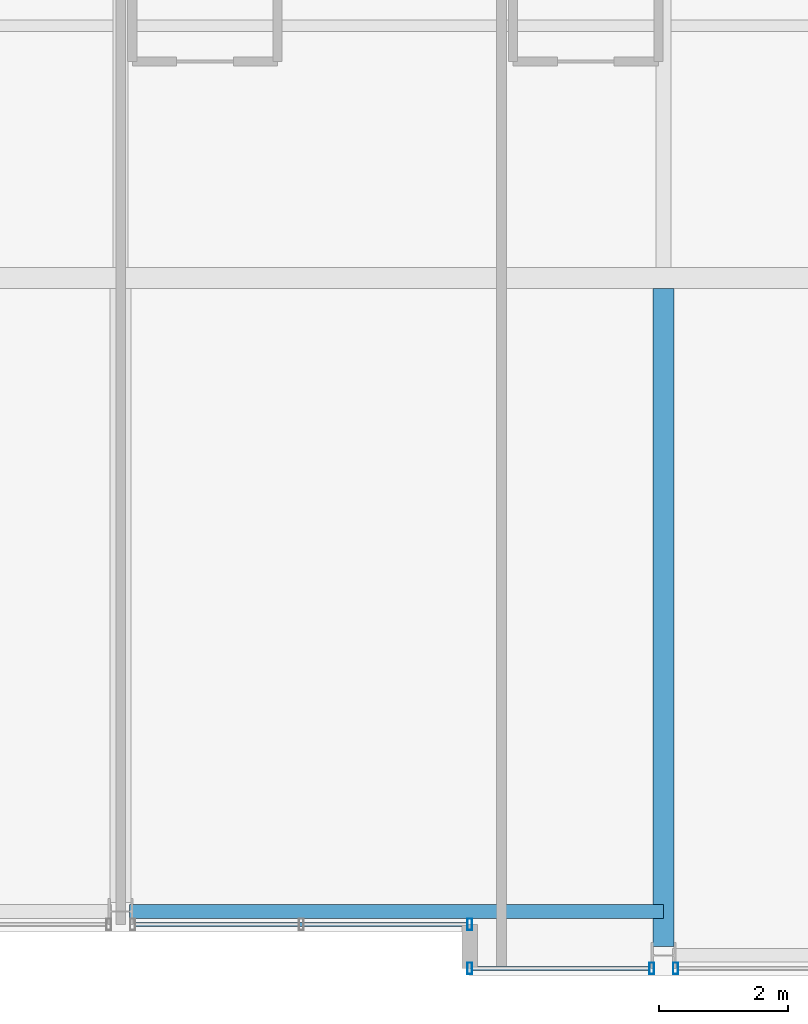
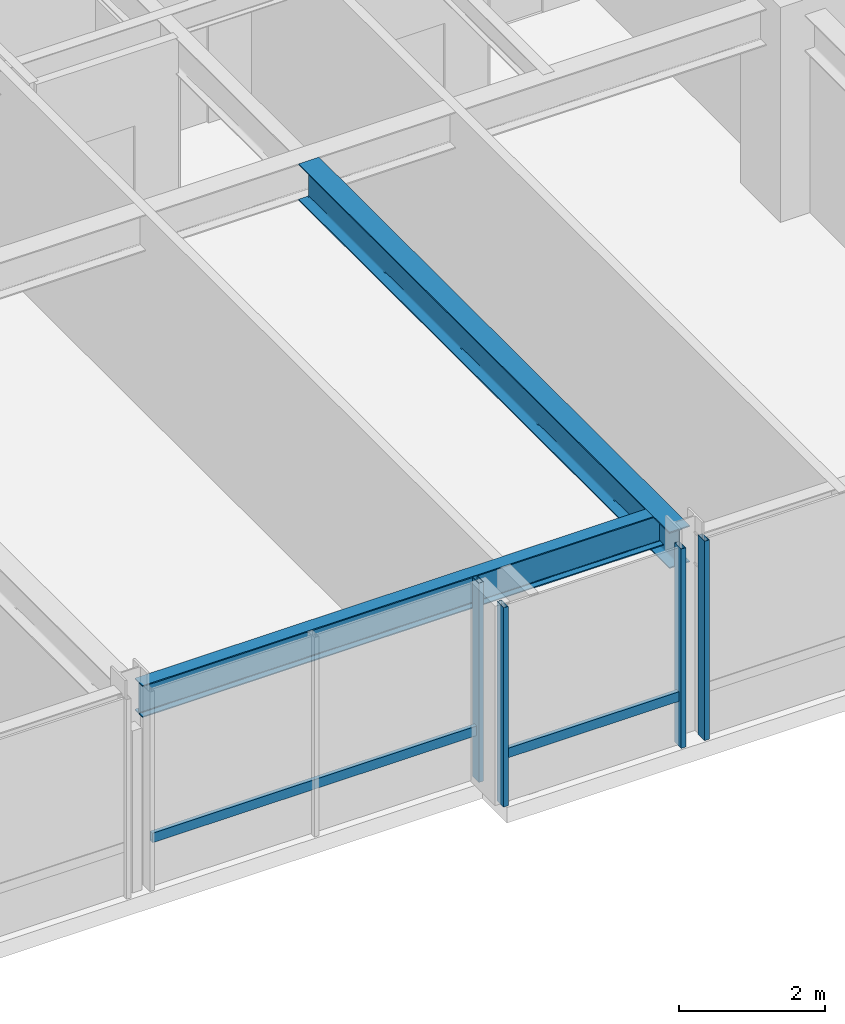
# One storey, part 7 of 34: 6 members, 2 beams, 3 elements without a shape of their own.
"""IFC4 building model written with IfcOpenShell, lengths in metres."""

from ifc_helpers import new_model, si_unit, direction, frame, origin, origin_2d, place, context, subcontext, project, spatial, hollow_rectangle, i_section, extrude, material, layer, layer_set, material_profile, profile_set, type_object, element, aggregate, save


model = new_model("IFC4")

# Units and contexts
model_context = context("Model", 3, precision=1e-05, world=origin(), true_north=direction((0.0, 1.0)))
body_context = subcontext(model_context, "Body", "Model", "MODEL_VIEW")
ifc_project = project(units=[si_unit("LENGTHUNIT", "METRE"), si_unit("AREAUNIT", "SQUARE_METRE"), si_unit("VOLUMEUNIT", "CUBIC_METRE"), si_unit("PLANEANGLEUNIT", "RADIAN"), si_unit("MASSUNIT", "GRAM", prefix="KILO")], contexts=[model_context])

# Site, building, storey
site_placement = place(None, origin())
site = spatial("IfcSite", under=ifc_project, at=site_placement, CompositionType="ELEMENT")
building_placement = place(site_placement, origin())
building = spatial("IfcBuilding", under=site, at=building_placement, Name="Drelvath Grand Hotel", CompositionType="ELEMENT")
storey_placement = place(building_placement, frame((0.0, 0.0, 208.699951171875)))
storey = spatial("IfcBuildingStorey", under=building, at=storey_placement, Name="L54", CompositionType="ELEMENT", Elevation=208.699951171875)

# Curtain wall, member
ifc_material_1 = material(Name="Platinum-Mist Anodised Aluminium Frame", Category="aluminium")
ifc_layer = layer(ifc_material_1, 0.199951171875)
ifc_layer_set = layer_set([ifc_layer], Name="Platinum-Mist Anodised Aluminium Frame")
curtain_wall_type = type_object("IfcCurtainWallType", Name="Stick Curtain Wall CW-05 Platinum Mist High-Rise", PredefinedType="NOTDEFINED", material=ifc_layer_set)
curtain_wall_1_placement = place(storey_placement, origin())
curtain_wall_1 = element("IfcCurtainWall", 1, at=curtain_wall_1_placement, inside=storey, type_object=curtain_wall_type, Name="L54 CW-05 Curtain Wall CW05-L54-SE1", PredefinedType="NOTDEFINED")
ifc_material_profile_1 = material_profile(ifc_material_1, hollow_rectangle(XDim=0.06494140625, YDim=0.159912109375, WallThickness=0.00390625, at=origin_2d()), Name="HSS160X65X4")
ifc_profile_set_1 = profile_set([ifc_material_profile_1], Name="Platinum-Mist Anodised Aluminium Frame")
member_type_1 = type_object("IfcMemberType", Name="Curtain Wall Horizontal Transom CW-05 HSS160X65X4", PredefinedType="USERDEFINED", material=ifc_profile_set_1)
member_1_placement = place(storey_placement, frame((8.1748046875, 0.1201171875, 0.8349609375), z_axis=(-1.0, 0.0, 0.0), x_axis=(0.0, -1.0, 0.0)))
member_1 = element("IfcMember", 2, at=member_1_placement, type_object=member_type_1, Name="CW05-L54-SE1 Sill Transom", ObjectType="TRANSOM", PredefinedType="USERDEFINED", context=body_context, shape_type="SweptSolid", body=[
    extrude(hollow_rectangle(XDim=0.06494140625, YDim=0.159912109375, WallThickness=0.00390625, at=origin_2d()), origin(), (0.0, 0.0, 1.0), 2.73486328125),
])

curtain_wall_2_placement = place(storey_placement, origin())
curtain_wall_2 = element("IfcCurtainWall", 3, at=curtain_wall_2_placement, inside=storey, type_object=curtain_wall_type, Name="L54 CW-05 Curtain Wall CW05-L54-SM2", PredefinedType="NOTDEFINED")
member_2_placement = place(storey_placement, frame((5.360107421875, 0.800048828125, 0.8349609375), z_axis=(-1.0, 0.0, 0.0), x_axis=(0.0, -1.0, 0.0)))
member_2 = element("IfcMember", 4, at=member_2_placement, type_object=member_type_1, Name="CW05-L54-SM2 Sill Transom", ObjectType="TRANSOM", PredefinedType="USERDEFINED", context=body_context, shape_type="SweptSolid", body=[
    extrude(hollow_rectangle(XDim=0.06494140625, YDim=0.159912109375, WallThickness=0.00390625, at=origin_2d()), origin(), (0.0, 0.0, 1.0), 5.134765625),
])

# Member
ifc_material_profile_2 = material_profile(ifc_material_1, hollow_rectangle(XDim=0.074951171875, YDim=0.179931640625, WallThickness=0.0048828125, at=origin_2d()), Name="HSS180X75X5")
ifc_profile_set_2 = profile_set([ifc_material_profile_2], Name="Platinum-Mist Anodised Aluminium Frame")
member_type_2 = type_object("IfcMemberType", Name="Curtain Wall Vertical Mullion CW-05 HSS180X75X5", PredefinedType="MULLION", material=ifc_profile_set_2)
member_3_placement = place(storey_placement, frame((8.214599609375, 0.1201171875, 0.0), z_axis=(0.0, 0.0, 1.0), x_axis=(1.0, 0.0, 0.0)))
member_3 = element("IfcMember", 5, at=member_3_placement, type_object=member_type_2, Name="CW05-L54-SE1 Mullion 1", PredefinedType="MULLION", context=body_context, shape_type="SweptSolid", body=[
    extrude(hollow_rectangle(XDim=0.074951171875, YDim=0.179931640625, WallThickness=0.0048828125, at=origin_2d()), origin(), (0.0, 0.0, 1.0), 3.340087890625),
])

member_4_placement = place(storey_placement, frame((5.39990234375, 0.1201171875, 0.0), z_axis=(0.0, 0.0, 1.0), x_axis=(1.0, 0.0, 0.0)))
member_4 = element("IfcMember", 6, at=member_4_placement, type_object=member_type_2, Name="CW05-L54-SE1 Mullion 2", PredefinedType="MULLION", context=body_context, shape_type="SweptSolid", body=[
    extrude(hollow_rectangle(XDim=0.074951171875, YDim=0.179931640625, WallThickness=0.0048828125, at=origin_2d()), origin(), (0.0, 0.0, 1.0), 3.340087890625),
])

aggregate(curtain_wall_1, [member_3, member_4, member_1])

# Curtain wall, member
curtain_wall_3_placement = place(storey_placement, origin())
curtain_wall_3 = element("IfcCurtainWall", 7, at=curtain_wall_3_placement, inside=storey, type_object=curtain_wall_type, Name="L54 CW-05 Curtain Wall CW05-L54-SE2", PredefinedType="NOTDEFINED")
member_5_placement = place(storey_placement, frame((8.585205078125, 0.1201171875, 0.0), z_axis=(0.0, 0.0, 1.0), x_axis=(1.0, 0.0, 0.0)))
member_5 = element("IfcMember", 8, at=member_5_placement, type_object=member_type_2, Name="CW05-L54-SE2 Mullion 3", PredefinedType="MULLION", context=body_context, shape_type="SweptSolid", body=[
    extrude(hollow_rectangle(XDim=0.074951171875, YDim=0.179931640625, WallThickness=0.0048828125, at=origin_2d()), origin(), (0.0, 0.0, 1.0), 3.340087890625),
])
aggregate(curtain_wall_3, [member_5])

# Member
member_6_placement = place(storey_placement, frame((5.39990234375, 0.800048828125, 0.0), z_axis=(0.0, 0.0, 1.0), x_axis=(1.0, 0.0, 0.0)))
member_6 = element("IfcMember", 9, at=member_6_placement, type_object=member_type_2, Name="CW05-L54-SM2 Mullion 1", PredefinedType="MULLION", context=body_context, shape_type="SweptSolid", body=[
    extrude(hollow_rectangle(XDim=0.074951171875, YDim=0.179931640625, WallThickness=0.0048828125, at=origin_2d()), origin(), (0.0, 0.0, 1.0), 3.340087890625),
])

aggregate(curtain_wall_2, [member_6, member_2])

# Beams
ifc_material_2 = material(Name="Steel ASTM A992 Gr 50", Category="steel")
ifc_material_profile_3 = material_profile(ifc_material_2, i_section(OverallWidth=0.210205078125, OverallDepth=0.53662109375, WebThickness=0.010986328125, FlangeThickness=0.017333984375, FilletRadius=0.01806640625, at=origin_2d()), Name="W21X68")
ifc_profile_set_3 = profile_set([ifc_material_profile_3], Name="Steel ASTM A992 Gr 50")
beam_type_1 = type_object("IfcBeamType", Name="Perimeter Spandrel Beam W21X68", PredefinedType="SPANDREL", material=ifc_profile_set_3)
beam_1_placement = place(storey_placement, frame((0.139892578125, 1.0, 3.071533203125), z_axis=(1.0, 0.0, 0.0), x_axis=(0.0, 1.0, 0.0)))
element("IfcBeam", 10, at=beam_1_placement, inside=storey, type_object=beam_type_1, Name="L54 Spandrel South Mid E", PredefinedType="SPANDREL", context=body_context, shape_type="SweptSolid", body=[
    extrude(i_section(OverallWidth=0.210205078125, OverallDepth=0.53662109375, WebThickness=0.010986328125, FlangeThickness=0.017333984375, FilletRadius=0.01806640625, at=origin_2d()), origin(), (0.0, 0.0, 1.0), 8.260009765625),
])
ifc_material_profile_4 = material_profile(ifc_material_2, i_section(OverallWidth=0.323974609375, OverallDepth=0.611083984375, WebThickness=0.0126953125, FlangeThickness=0.01904296875, FilletRadius=0.02197265625, at=origin_2d()), Name="W24X104")
ifc_profile_set_4 = profile_set([ifc_material_profile_4], Name="Steel ASTM A992 Gr 50")
beam_type_2 = type_object("IfcBeamType", Name="Primary Floor Girder W24X104", PredefinedType="BEAM", material=ifc_profile_set_4)
beam_2_placement = place(storey_placement, frame((8.39990234375, 0.4599609375, 3.034423828125), z_axis=(0.0, 1.0, 0.0), x_axis=(-1.0, 0.0, 0.0)))
element("IfcBeam", 11, at=beam_2_placement, inside=storey, type_object=beam_type_2, Name="L54 South Wing Girder 6", PredefinedType="BEAM", context=body_context, shape_type="SweptSolid", body=[
    extrude(i_section(OverallWidth=0.323974609375, OverallDepth=0.611083984375, WebThickness=0.0126953125, FlangeThickness=0.01904296875, FilletRadius=0.02197265625, at=origin_2d()), origin(), (0.0, 0.0, 1.0), 10.177978515625),
])

save(model, "model.ifc")
